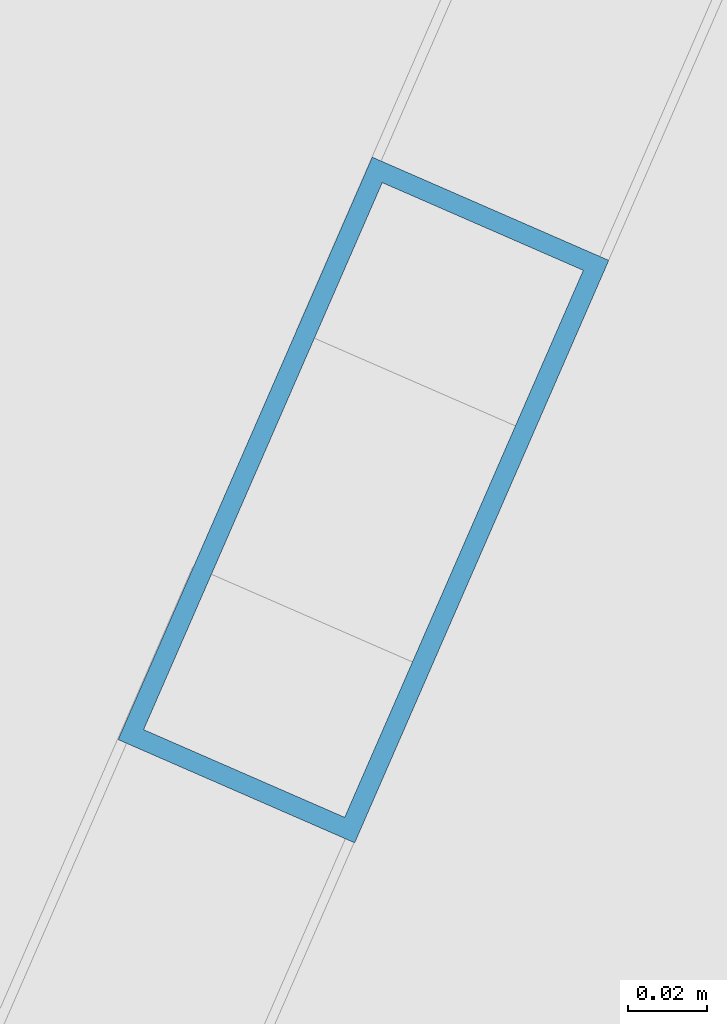
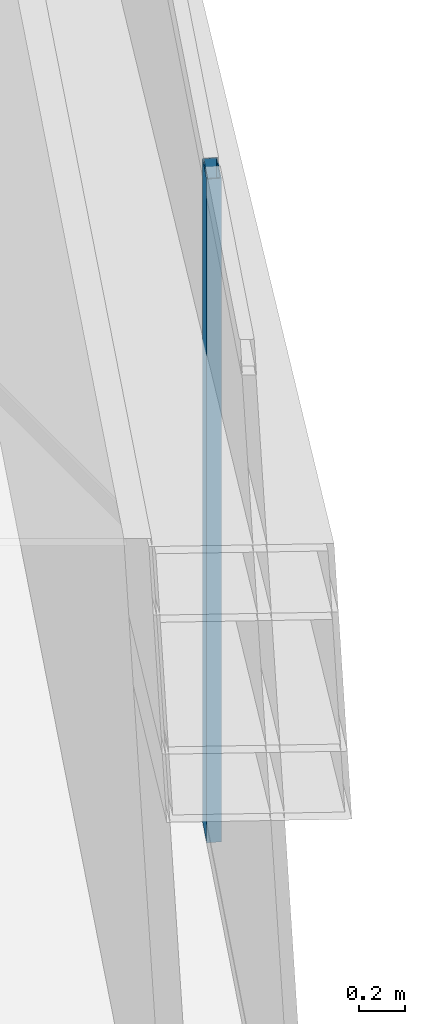
# One storey, part 5 of 19: 1 member, 1 element without a shape of its own.
"""IFC4 building model written with IfcOpenShell, lengths in metres."""

from ifc_helpers import new_model, si_unit, direction, frame, origin, origin_2d, place, context, subcontext, project, spatial, hollow_rectangle, extrude, material, layer, layer_set, material_profile, profile_set, type_object, element, aggregate, save


model = new_model("IFC4")

# Units and contexts
model_context = context("Model", 3, precision=1e-05, world=origin(), true_north=direction((0.0, 1.0)))
body_context = subcontext(model_context, "Body", "Model", "MODEL_VIEW")
ifc_project = project(units=[si_unit("LENGTHUNIT", "METRE"), si_unit("AREAUNIT", "SQUARE_METRE"), si_unit("VOLUMEUNIT", "CUBIC_METRE"), si_unit("PLANEANGLEUNIT", "RADIAN"), si_unit("MASSUNIT", "GRAM", prefix="KILO")], contexts=[model_context])

# Site, building, storey
site_placement = place(None, origin())
site = spatial("IfcSite", under=ifc_project, at=site_placement, CompositionType="ELEMENT")
building_placement = place(site_placement, origin())
building = spatial("IfcBuilding", under=site, at=building_placement, Name="Qianvela Tower", CompositionType="ELEMENT")
storey_placement = place(building_placement, frame((0.0, 0.0, 329.60009765625)))
storey = spatial("IfcBuildingStorey", under=building, at=storey_placement, Name="L85", CompositionType="ELEMENT", Elevation=329.60009765625)

# Curtain wall, member
ifc_material_1 = material(Name="Anodised Architectural Aluminium and Insulated Spandrel Panel", Category="aluminium")
ifc_layer = layer(ifc_material_1, 0.179931640625)
ifc_layer_set = layer_set([ifc_layer], Name="Anodised Architectural Aluminium and Insulated Spandrel Panel")
curtain_wall_type = type_object("IfcCurtainWallType", Name="CW-BRACEBAY", PredefinedType="USERDEFINED", material=ifc_layer_set)
curtain_wall_placement = place(storey_placement, origin())
curtain_wall = element("IfcCurtainWall", 1, at=curtain_wall_placement, inside=storey, type_object=curtain_wall_type, Name="L85 CW-BRACEBAY Curtain Wall 06B", ObjectType="CURTAIN_WALL_SYSTEM", PredefinedType="USERDEFINED")
ifc_material_2 = material(Name="Anodised Architectural Aluminium 6063-T6", Category="aluminium")
ifc_material_profile = material_profile(ifc_material_2, hollow_rectangle(XDim=0.06494140625, YDim=0.159912109375, WallThickness=0.0048828125, at=origin_2d()), Name="ALU-MULL-65x160")
ifc_profile_set = profile_set([ifc_material_profile], Name="Anodised Architectural Aluminium 6063-T6")
member_type = type_object("IfcMemberType", Name="CW-BRACEBAY-MULL", PredefinedType="MULLION", material=ifc_profile_set)
member_placement = place(storey_placement, frame((45.878173828125, 19.047119140625, 0.0), z_axis=(0.0, 0.0, 1.0), x_axis=(-0.916593096864, 0.399821328572, 0.0)))
member = element("IfcMember", 2, at=member_placement, type_object=member_type, Name="CW-9 mullion 2", PredefinedType="MULLION", context=body_context, shape_type="SweptSolid", body=[
    extrude(hollow_rectangle(XDim=0.06494140625, YDim=0.159912109375, WallThickness=0.0048828125, at=origin_2d()), origin(), (0.0, 0.0, 1.0), 3.52001953125),
])
aggregate(curtain_wall, [member])

save(model, "model.ifc")
